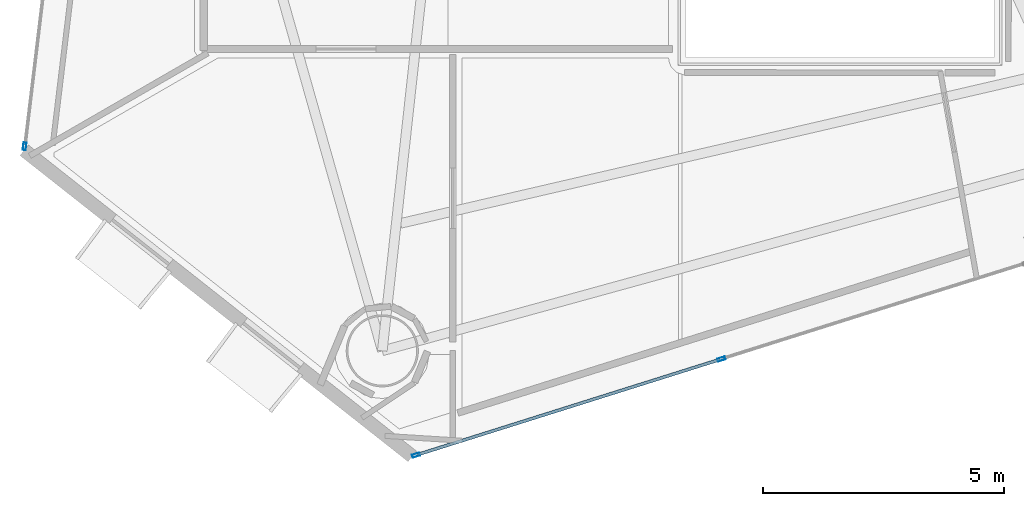
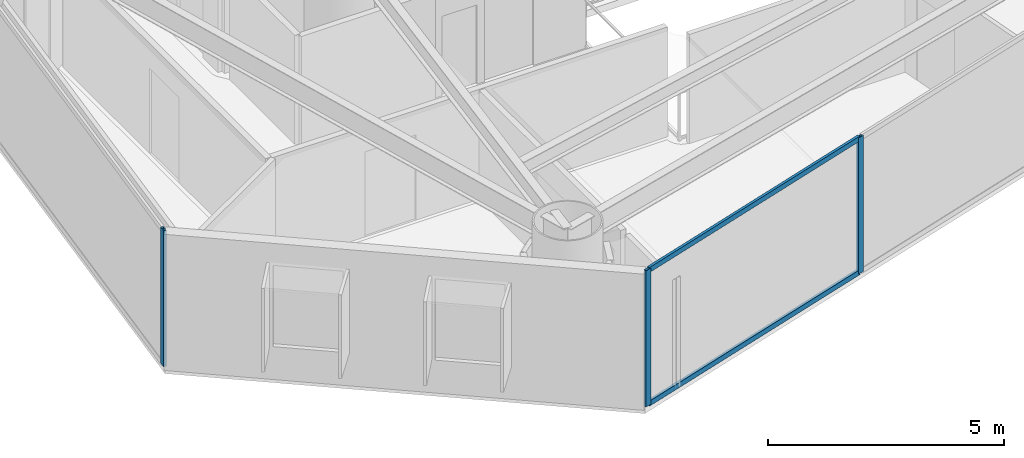
# One storey, part 2 of 18: 5 members, 2 elements without a shape of their own.
"""IFC4 building model written with IfcOpenShell, lengths in metres."""

from ifc_helpers import new_model, si_unit, direction, frame, origin, origin_2d, place, context, subcontext, project, spatial, hollow_rectangle, extrude, material, layer, layer_set, material_profile, profile_set, type_object, element, aggregate, save


model = new_model("IFC4")

# Units and contexts
model_context = context("Model", 3, precision=1e-05, world=origin(), true_north=direction((0.0, 1.0)))
body_context = subcontext(model_context, "Body", "Model", "MODEL_VIEW")
ifc_project = project(units=[si_unit("LENGTHUNIT", "METRE"), si_unit("AREAUNIT", "SQUARE_METRE"), si_unit("VOLUMEUNIT", "CUBIC_METRE"), si_unit("PLANEANGLEUNIT", "RADIAN"), si_unit("MASSUNIT", "GRAM", prefix="KILO")], contexts=[model_context])

# Site, building, storey
site_placement = place(None, origin())
site = spatial("IfcSite", under=ifc_project, at=site_placement, CompositionType="ELEMENT")
building_placement = place(site_placement, origin())
building = spatial("IfcBuilding", under=site, at=building_placement, Name="Qianvela Tower", CompositionType="ELEMENT")
storey_placement = place(building_placement, frame((0.0, 0.0, 116.300048828125)))
storey = spatial("IfcBuildingStorey", under=building, at=storey_placement, Name="L29", CompositionType="ELEMENT", Elevation=116.300048828125)

# Curtain wall, member
ifc_material_1 = material(Name="Anodised Architectural Aluminium and Low-E Glass", Category="aluminium")
ifc_layer = layer(ifc_material_1, 0.169921875)
ifc_layer_set = layer_set([ifc_layer], Name="Anodised Architectural Aluminium and Low-E Glass")
curtain_wall_type = type_object("IfcCurtainWallType", Name="CW-COLIV-Z34", PredefinedType="USERDEFINED", material=ifc_layer_set)
curtain_wall_1_placement = place(storey_placement, origin())
curtain_wall_1 = element("IfcCurtainWall", 1, at=curtain_wall_1_placement, inside=storey, type_object=curtain_wall_type, Name="L29 CW-COLIV-Z34 Curtain Wall 04C", ObjectType="CURTAIN_WALL_SYSTEM", PredefinedType="USERDEFINED")
ifc_material_2 = material(Name="Anodised Architectural Aluminium 6063-T6", Category="aluminium")
ifc_material_profile_1 = material_profile(ifc_material_2, hollow_rectangle(XDim=0.06494140625, YDim=0.159912109375, WallThickness=0.0048828125, at=origin_2d()), Name="ALU-MULL-65x160")
ifc_profile_set_1 = profile_set([ifc_material_profile_1], Name="Anodised Architectural Aluminium 6063-T6")
member_type_1 = type_object("IfcMemberType", Name="CW-COLIV-Z34-MULL", PredefinedType="MULLION", material=ifc_profile_set_1)
member_1_placement = place(storey_placement, frame((19.8603515625, 16.157958984375, 0.0), z_axis=(0.0, 0.0, 1.0), x_axis=(0.99279898428, -0.119792223509, 0.0)))
member_1 = element("IfcMember", 2, at=member_1_placement, type_object=member_type_1, Name="CW-4 mullion 2", PredefinedType="MULLION", context=body_context, shape_type="SweptSolid", body=[
    extrude(hollow_rectangle(XDim=0.06494140625, YDim=0.159912109375, WallThickness=0.0048828125, at=origin_2d()), origin(), (0.0, 0.0, 1.0), 3.52001953125),
])
aggregate(curtain_wall_1, [member_1])

# Curtain wall, members
curtain_wall_2_placement = place(storey_placement, origin())
curtain_wall_2 = element("IfcCurtainWall", 3, at=curtain_wall_2_placement, inside=storey, type_object=curtain_wall_type, Name="L29 CW-COLIV-Z34 Curtain Wall 06A", ObjectType="CURTAIN_WALL_SYSTEM", PredefinedType="USERDEFINED")
member_2_placement = place(storey_placement, frame((27.9921875, 9.74072265625, 0.0), z_axis=(0.0, 0.0, 1.0), x_axis=(-0.300261049546, 0.953857065878, 0.0)))
member_2 = element("IfcMember", 4, at=member_2_placement, type_object=member_type_1, Name="CW-4 mullion 1", PredefinedType="MULLION", context=body_context, shape_type="SweptSolid", body=[
    extrude(hollow_rectangle(XDim=0.06494140625, YDim=0.159912109375, WallThickness=0.0048828125, at=origin_2d()), origin(), (0.0, 0.0, 1.0), 3.52001953125),
])
member_3_placement = place(storey_placement, frame((34.337646484375, 11.738037109375, 0.0), z_axis=(0.0, 0.0, 1.0), x_axis=(-0.300261049546, 0.953857065878, 0.0)))
member_3 = element("IfcMember", 5, at=member_3_placement, type_object=member_type_1, Name="CW-4 mullion 2", PredefinedType="MULLION", context=body_context, shape_type="SweptSolid", body=[
    extrude(hollow_rectangle(XDim=0.06494140625, YDim=0.159912109375, WallThickness=0.0048828125, at=origin_2d()), origin(), (0.0, 0.0, 1.0), 3.52001953125),
])
ifc_material_3 = material(Name="Anodised Architectural Aluminium 6063-T6", Category="aluminium")
ifc_material_profile_2 = material_profile(ifc_material_3, hollow_rectangle(XDim=0.06494140625, YDim=0.1298828125, WallThickness=0.00439453125, at=origin_2d()), Name="ALU-TRAN-65x130")
ifc_profile_set_2 = profile_set([ifc_material_profile_2], Name="Anodised Architectural Aluminium 6063-T6")
member_type_2 = type_object("IfcMemberType", Name="CW-COLIV-Z34-TRAN", PredefinedType="USERDEFINED", material=ifc_profile_set_2)
member_4_placement = place(storey_placement, frame((28.023193359375, 9.75048828125, 0.032470703125), z_axis=(0.953863993432, 0.300239041489, 0.0), x_axis=(-0.300239041489, 0.953863993432, 0.0)))
member_4 = element("IfcMember", 6, at=member_4_placement, type_object=member_type_2, Name="CW-4 transom 1.1", ObjectType="TRANSOM", PredefinedType="USERDEFINED", context=body_context, shape_type="SweptSolid", body=[
    extrude(hollow_rectangle(XDim=0.06494140625, YDim=0.1298828125, WallThickness=0.00439453125, at=origin_2d()), origin(), (0.0, 0.0, 1.0), 6.58740234375),
])
member_5_placement = place(storey_placement, frame((28.023193359375, 9.75048828125, 3.487548828125), z_axis=(0.953863993432, 0.300239041489, 0.0), x_axis=(-0.300239041489, 0.953863993432, 0.0)))
member_5 = element("IfcMember", 7, at=member_5_placement, type_object=member_type_2, Name="CW-4 transom 1.2", ObjectType="TRANSOM", PredefinedType="USERDEFINED", context=body_context, shape_type="SweptSolid", body=[
    extrude(hollow_rectangle(XDim=0.06494140625, YDim=0.1298828125, WallThickness=0.00439453125, at=origin_2d()), origin(), (0.0, 0.0, 1.0), 6.58740234375),
])
aggregate(curtain_wall_2, [member_2, member_3, member_4, member_5])

save(model, "model.ifc")
